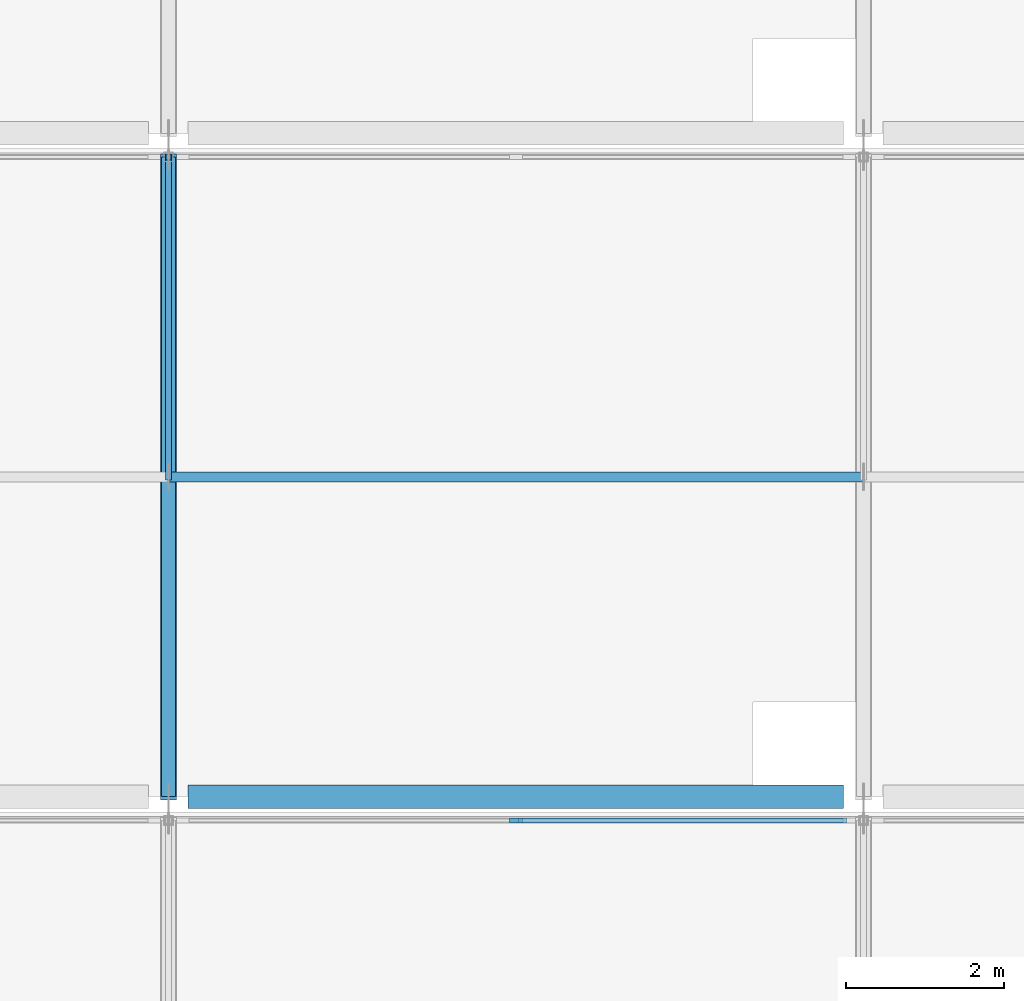
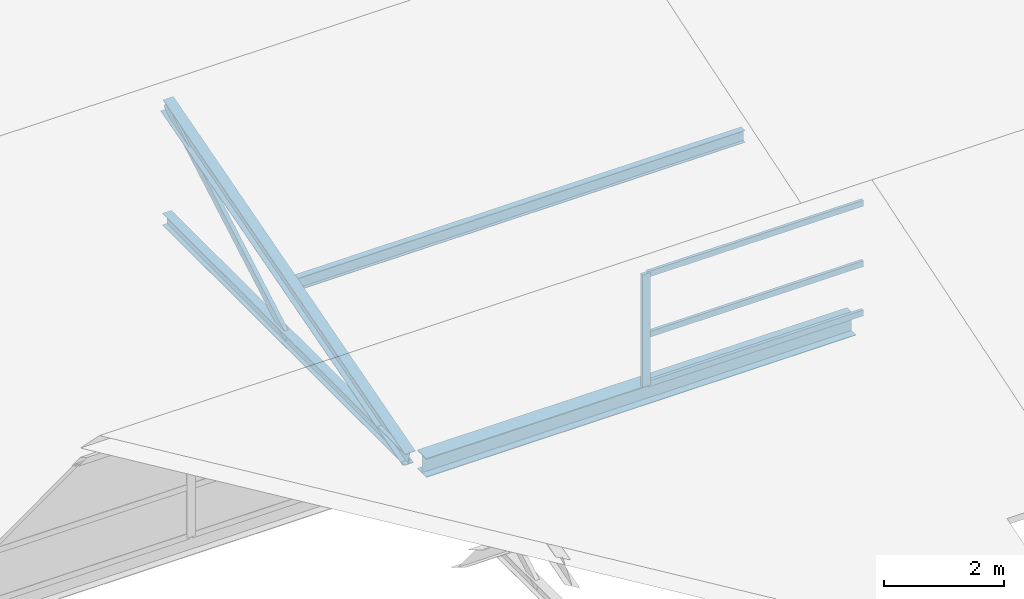
# One storey, part 3 of 40: 8 members, 1 beam, 1 element without a shape of its own.
"""IFC4 building model written with IfcOpenShell, lengths in metres."""

from ifc_helpers import new_model, si_unit, direction, frame, origin, origin_2d, place, context, subcontext, project, spatial, rectangle, hollow_rectangle, i_section, extrude, material, material_profile, profile_set, type_object, element, aggregate, save


model = new_model("IFC4")

# Units and contexts
model_context = context("Model", 3, precision=1e-05, world=origin(), true_north=direction((0.0, 1.0)))
body_context = subcontext(model_context, "Body", "Model", "MODEL_VIEW")
ifc_project = project(units=[si_unit("LENGTHUNIT", "METRE"), si_unit("AREAUNIT", "SQUARE_METRE"), si_unit("VOLUMEUNIT", "CUBIC_METRE"), si_unit("PLANEANGLEUNIT", "RADIAN"), si_unit("MASSUNIT", "GRAM", prefix="KILO")], contexts=[model_context])

# Site, building, storey
site_placement = place(None, origin())
site = spatial("IfcSite", under=ifc_project, at=site_placement, CompositionType="ELEMENT")
building_placement = place(site_placement, origin())
building = spatial("IfcBuilding", under=site, at=building_placement, Name="Brinegate Botanical Conservatory", CompositionType="ELEMENT")
storey_placement = place(building_placement, frame((0.0, 0.0, 19.199951171875)))
storey = spatial("IfcBuildingStorey", under=building, at=storey_placement, Name="L05", CompositionType="ELEMENT", Elevation=19.199951171875)

# Beam
ifc_material_1 = material(Name="Structural steel Q355B / S355", Category="steel")
ifc_material_profile_1 = material_profile(ifc_material_1, i_section(OverallWidth=0.300048828125, OverallDepth=0.389892578125, WebThickness=0.010009765625, FlangeThickness=0.01611328125, at=origin_2d()), Name="HM 390x300x10x16")
ifc_profile_set_1 = profile_set([ifc_material_profile_1], Name="Structural steel Q355B / S355")
beam_type = type_object("IfcBeamType", Name="Beam_BM-S5", PredefinedType="BEAM", material=ifc_profile_set_1)
beam_placement = place(storey_placement, frame((59.85009765625, 95.199951171875, -0.179931640625), z_axis=(1.0, 0.0, 0.0), x_axis=(0.0, 1.0, 0.0)))
element("IfcBeam", 1, at=beam_placement, inside=storey, type_object=beam_type, Name="Sawtooth valley girder BM-S5 B2.2", PredefinedType="BEAM", context=body_context, shape_type="SweptSolid", body=[
    extrude(i_section(OverallWidth=0.300048828125, OverallDepth=0.389892578125, WebThickness=0.010009765625, FlangeThickness=0.01611328125, at=origin_2d()), origin(), (0.0, 0.0, 1.0), 8.2998046875),
])

# Curtain wall, member
ifc_material_2 = material(Name="Thermally broken anodised aluminium AW-6063-T6", Category="aluminium")
curtain_wall_type = type_object("IfcCurtainWallType", Name="CW_CW-SAW", PredefinedType="USERDEFINED", material=ifc_material_2)
curtain_wall_placement = place(storey_placement, origin())
curtain_wall = element("IfcCurtainWall", 2, at=curtain_wall_placement, inside=storey, type_object=curtain_wall_type, Name="Sawtooth north-light clerestory B1.2", ObjectType="FACTORY CURTAIN WALL", PredefinedType="USERDEFINED")
ifc_material_profile_2 = material_profile(ifc_material_2, rectangle(XDim=0.06005859375, YDim=0.159912109375, at=origin_2d()), Name="ALUM MULLION 60x160")
ifc_profile_set_2 = profile_set([ifc_material_profile_2], Name="Thermally broken anodised aluminium AW-6063-T6")
member_type_1 = type_object("IfcMemberType", Name="Member_ML-01", PredefinedType="MULLION", material=ifc_profile_set_2)
member_1_placement = place(storey_placement, frame((64.0, 94.89990234375, 0.150146484375), z_axis=(0.0, 0.0, 1.0), x_axis=(0.0, 1.0, 0.0)))
member_1 = element("IfcMember", 3, at=member_1_placement, type_object=member_type_1, Name="CW-SAW mullion 2", PredefinedType="MULLION", context=body_context, shape_type="SweptSolid", body=[
    extrude(rectangle(XDim=0.06005859375, YDim=0.159912109375, at=origin_2d()), origin(), (0.0, 0.0, 1.0), 2.2998046875),
])

# Members
ifc_material_profile_3 = material_profile(ifc_material_1, hollow_rectangle(XDim=0.080078125, YDim=0.159912109375, WallThickness=0.006103515625, at=origin_2d()), Name="RHS 160x80x6")
ifc_profile_set_3 = profile_set([ifc_material_profile_3], Name="Structural steel Q355B / S355")
member_type_2 = type_object("IfcMemberType", Name="Member_SB-01", PredefinedType="BRACE", material=ifc_profile_set_3)
member_2_placement = place(storey_placement, frame((59.60009765625, 99.25, 0.02001953125), z_axis=(0.0, 0.866786044896, 0.49868021053), x_axis=(-1.0, 0.0, 0.0)))
element("IfcMember", 4, at=member_2_placement, inside=storey, type_object=member_type_2, Name="Sawtooth web diagonal SB-01 B2.T2", PredefinedType="BRACE", context=body_context, shape_type="SweptSolid", body=[
    extrude(hollow_rectangle(XDim=0.080078125, YDim=0.159912109375, WallThickness=0.006103515625, at=origin_2d()), origin(), (0.0, 0.0, 1.0), 4.672607421875),
])
ifc_material_profile_4 = material_profile(ifc_material_1, i_section(OverallWidth=0.199951171875, OverallDepth=0.2939453125, WebThickness=0.008056640625, FlangeThickness=0.011962890625, at=origin_2d()), Name="HM 294x200x8x12")
ifc_profile_set_4 = profile_set([ifc_material_profile_4], Name="Structural steel Q355B / S355")
member_type_3 = type_object("IfcMemberType", Name="Member_SC-01", PredefinedType="CHORD", material=ifc_profile_set_4)
member_3_placement = place(storey_placement, frame((59.60009765625, 95.199951171875, 0.02001953125), z_axis=(0.0, 0.961028334039, 0.276449889085), x_axis=(-1.0, 0.0, 0.0)))
element("IfcMember", 5, at=member_3_placement, inside=storey, type_object=member_type_3, Name="Sawtooth rafter chord SC-01 B2.T2", PredefinedType="CHORD", context=body_context, shape_type="SweptSolid", body=[
    extrude(i_section(OverallWidth=0.199951171875, OverallDepth=0.2939453125, WebThickness=0.008056640625, FlangeThickness=0.011962890625, at=origin_2d()), origin(), (0.0, 0.0, 1.0), 8.428466796875),
])
ifc_material_profile_5 = material_profile(ifc_material_1, i_section(OverallWidth=0.175048828125, OverallDepth=0.243896484375, WebThickness=0.007080078125, FlangeThickness=0.010986328125, at=origin_2d()), Name="HM 244x175x7x11")
ifc_profile_set_5 = profile_set([ifc_material_profile_5], Name="Structural steel Q355B / S355")
member_type_4 = type_object("IfcMemberType", Name="Member_SC-02", PredefinedType="CHORD", material=ifc_profile_set_5)
member_4_placement = place(storey_placement, frame((59.60009765625, 95.199951171875, 0.02001953125), z_axis=(0.0, 1.0, 0.0), x_axis=(-1.0, 0.0, 0.0)))
element("IfcMember", 6, at=member_4_placement, inside=storey, type_object=member_type_4, Name="Sawtooth bottom tie SC-02 B2.T2", PredefinedType="CHORD", context=body_context, shape_type="SweptSolid", body=[
    extrude(i_section(OverallWidth=0.175048828125, OverallDepth=0.243896484375, WebThickness=0.007080078125, FlangeThickness=0.010986328125, at=origin_2d()), origin(), (0.0, 0.0, 1.0), 8.10009765625),
])
ifc_material_profile_6 = material_profile(ifc_material_1, i_section(OverallWidth=0.125, OverallDepth=0.25, WebThickness=0.006103515625, FlangeThickness=0.009033203125, at=origin_2d()), Name="HN 250x125x6x9")
ifc_profile_set_6 = profile_set([ifc_material_profile_6], Name="Structural steel Q355B / S355")
member_type_5 = type_object("IfcMemberType", Name="Member_SPU-01", PredefinedType="PURLIN", material=ifc_profile_set_6)
member_5_placement = place(storey_placement, frame((59.60009765625, 99.25, 1.094970703125), z_axis=(1.0, 0.0, 0.0), x_axis=(0.0, 1.0, 0.0)))
element("IfcMember", 7, at=member_5_placement, inside=storey, type_object=member_type_5, Name="Sawtooth roof purlin SPU-01 B2.2", PredefinedType="PURLIN", context=body_context, shape_type="SweptSolid", body=[
    extrude(i_section(OverallWidth=0.125, OverallDepth=0.25, WebThickness=0.006103515625, FlangeThickness=0.009033203125, at=origin_2d()), origin(), (0.0, 0.0, 1.0), 8.7998046875),
])

# Member
ifc_material_profile_7 = material_profile(ifc_material_2, rectangle(XDim=0.06005859375, YDim=0.1201171875, at=origin_2d()), Name="ALUM TRANSOM 60x120")
ifc_profile_set_7 = profile_set([ifc_material_profile_7], Name="Thermally broken anodised aluminium AW-6063-T6")
member_type_6 = type_object("IfcMemberType", Name="Member_TR-01", PredefinedType="USERDEFINED", material=ifc_profile_set_7)
member_6_placement = place(storey_placement, frame((64.030029296875, 94.89990234375, 0.179931640625), z_axis=(1.0, 0.0, 0.0), x_axis=(0.0, 1.0, 0.0)))
member_6 = element("IfcMember", 8, at=member_6_placement, type_object=member_type_6, Name="CW-SAW transom 2.1", ObjectType="TRANSOM", PredefinedType="USERDEFINED", context=body_context, shape_type="SweptSolid", body=[
    extrude(rectangle(XDim=0.06005859375, YDim=0.1201171875, at=origin_2d()), origin(), (0.0, 0.0, 1.0), 4.159912109375),
])

member_7_placement = place(storey_placement, frame((64.030029296875, 94.89990234375, 1.18505859375), z_axis=(1.0, 0.0, 0.0), x_axis=(0.0, 1.0, 0.0)))
member_7 = element("IfcMember", 9, at=member_7_placement, type_object=member_type_6, Name="CW-SAW transom 2.2", ObjectType="TRANSOM", PredefinedType="USERDEFINED", context=body_context, shape_type="SweptSolid", body=[
    extrude(rectangle(XDim=0.06005859375, YDim=0.1201171875, at=origin_2d()), origin(), (0.0, 0.0, 1.0), 4.159912109375),
])

member_8_placement = place(storey_placement, frame((64.030029296875, 94.89990234375, 2.420166015625), z_axis=(1.0, 0.0, 0.0), x_axis=(0.0, 1.0, 0.0)))
member_8 = element("IfcMember", 10, at=member_8_placement, type_object=member_type_6, Name="CW-SAW transom 2.3", ObjectType="TRANSOM", PredefinedType="USERDEFINED", context=body_context, shape_type="SweptSolid", body=[
    extrude(rectangle(XDim=0.06005859375, YDim=0.1201171875, at=origin_2d()), origin(), (0.0, 0.0, 1.0), 4.159912109375),
])

aggregate(curtain_wall, [member_1, member_6, member_7, member_8])

save(model, "model.ifc")
